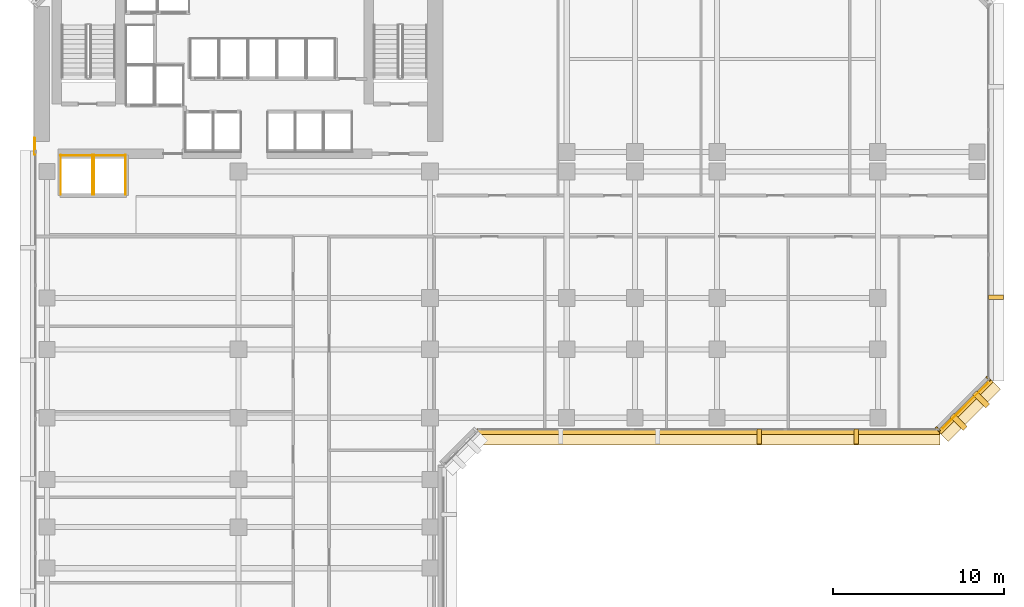
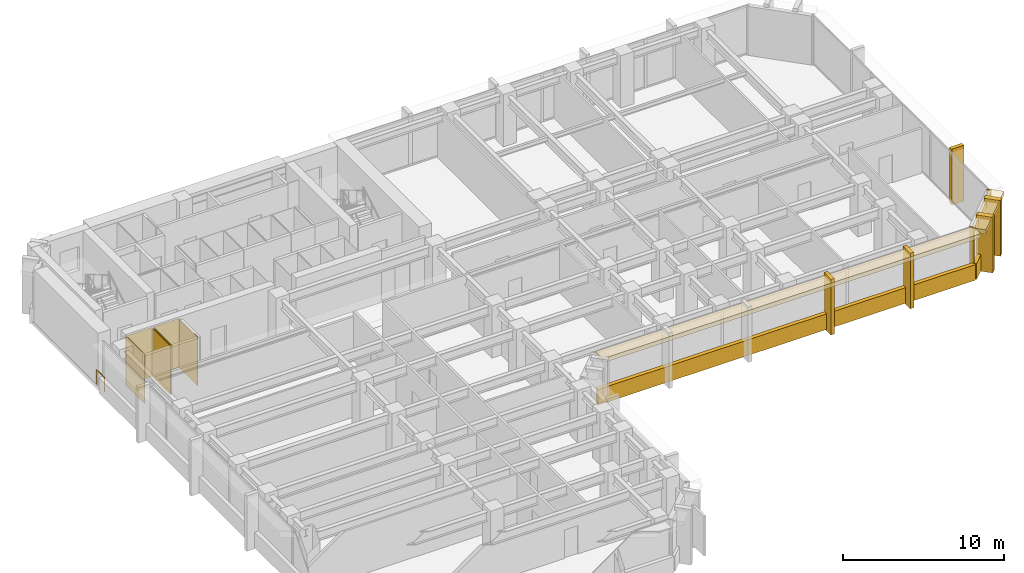
# One storey, part 10 of 13: 18 coverings, 1 railing.
"""IFC4 building model written with IfcOpenShell, lengths in metres."""

from ifc_helpers import new_model, si_unit, direction, frame, origin, origin_2d, place, context, subcontext, project, spatial, polyline, rectangle, circle, outline, extrude, material, layer, layer_set, type_object, element, save


model = new_model("IFC4")

# Units and contexts
model_context = context("Model", 3, precision=1e-05, world=origin(), true_north=direction((0.0, 1.0)))
body_context = subcontext(model_context, "Body", "Model", "MODEL_VIEW")
ifc_project = project(units=[si_unit("LENGTHUNIT", "METRE"), si_unit("AREAUNIT", "SQUARE_METRE"), si_unit("VOLUMEUNIT", "CUBIC_METRE"), si_unit("PLANEANGLEUNIT", "RADIAN"), si_unit("MASSUNIT", "GRAM", prefix="KILO")], contexts=[model_context])

# Site, building, storey
site_placement = place(None, origin())
site = spatial("IfcSite", under=ifc_project, at=site_placement, CompositionType="ELEMENT")
building_placement = place(site_placement, origin())
building = spatial("IfcBuilding", under=site, at=building_placement, Name="Kefirva Bronze Tower", CompositionType="ELEMENT")
storey_placement = place(building_placement, frame((0.0, 0.0, 62.0400390625)))
storey = spatial("IfcBuildingStorey", under=building, at=storey_placement, Name="L14", CompositionType="ELEMENT", Elevation=62.0400390625)

# Coverings
ifc_material_1 = material(Name="Bronze anodised aluminium", Category="aluminium")
ifc_layer_1 = layer(ifc_material_1, 0.02001953125, Name="Bronze anodised aluminium")
ifc_layer_set_1 = layer_set([ifc_layer_1], Name="Bronze anodised aluminium")
covering_type_1 = type_object("IfcCoveringType", Name="Anodised Bronze Spandrel Cladding 20mm", PredefinedType="CLADDING", material=ifc_layer_set_1)
covering_1_placement = place(storey_placement, frame((39.5, 17.9599609375, -0.16015625), z_axis=(0.0, 0.0, 1.0), x_axis=(1.0, 0.0, 0.0)))
element("IfcCovering", 1, at=covering_1_placement, inside=storey, type_object=covering_type_1, Name="L14 Streamline Horizontal Spandrel Band 4", PredefinedType="CLADDING", context=body_context, shape_type="SweptSolid", body=[
    extrude(rectangle(XDim=27.0400390625, YDim=0.280029296875, at=origin_2d()), origin(), (0.0, 0.0, 1.0), 1.179931640625),
])
covering_2_placement = place(storey_placement, frame((54.507080078125, 19.492919921875, 3.2900390625), z_axis=(0.0, 0.0, 1.0), x_axis=(0.707106781187, 0.707106781187, 0.0)))
element("IfcCovering", 2, at=covering_2_placement, inside=storey, type_object=covering_type_1, Name="L14 Bronze Spandrel Cladding 4", PredefinedType="CLADDING", context=body_context, shape_type="SweptSolid", body=[
    extrude(rectangle(XDim=3.719482421875, YDim=0.02001953125, at=origin_2d()), origin(), (0.0, 0.0, 1.0), 0.39990234375),
])
for number, where, z_axis, x_axis, name in (
    (3, (52.91162109375, 18.137939453125, 0.0), (0.0, 0.0, 1.0), (0.707106781187, 0.707106781187, 0.0), "L14 Facade Joint Closure Panel 4S"),
    (4, (55.862060546875, 21.08837890625, 0.0), (0.0, 0.0, 1.0), (0.707106781187, 0.707106781187, 0.0), "L14 Facade Joint Closure Panel 4E"),
):
    element("IfcCovering", number, at=place(storey_placement, frame(where, z_axis=z_axis, x_axis=x_axis)), inside=storey, type_object=covering_type_1, Name=name, PredefinedType="CLADDING", context=body_context, shape_type="SweptSolid", body=[
        extrude(rectangle(XDim=0.10009765625, YDim=0.320068359375, at=origin_2d()), origin(), (0.0, 0.0, 1.0), 3.7099609375),
    ])
covering_3_placement = place(storey_placement, frame((54.5283203125, 19.4716796875, -0.16015625), z_axis=(0.0, 0.0, 1.0), x_axis=(0.707106781187, 0.707106781187, 0.0)))
element("IfcCovering", 5, at=covering_3_placement, inside=storey, type_object=covering_type_1, Name="L14 Streamline Horizontal Spandrel Band 5", PredefinedType="CLADDING", context=body_context, shape_type="SweptSolid", body=[
    extrude(rectangle(XDim=4.28271484375, YDim=0.280029296875, at=origin_2d()), origin(), (0.0, 0.0, 1.0), 1.179931640625),
])
covering_4_placement = place(storey_placement, origin())
element("IfcCovering", 6, at=covering_4_placement, inside=storey, type_object=covering_type_1, Name="L14 Lift OB1 Hoistway Liner N", PredefinedType="CLADDING", context=body_context, shape_type="SweptSolid", body=[
    extrude(outline(polyline([(1.580078125, 34.139892578125), (3.469970703125, 34.139892578125), (3.469970703125, 34.159912109375), (1.580078125, 34.159912109375), (1.580078125, 34.139892578125)])), origin(), (0.0, 0.0, 1.0), 3.7099609375),
])
covering_5_placement = place(storey_placement, origin())
element("IfcCovering", 7, at=covering_5_placement, inside=storey, type_object=covering_type_1, Name="L14 Lift OB1 Hoistway Liner W", PredefinedType="CLADDING", context=body_context, shape_type="SweptSolid", body=[
    extrude(outline(polyline([(1.590087890625, 31.830078125), (1.610107421875, 31.830078125), (1.610107421875, 34.169921875), (1.590087890625, 34.169921875), (1.590087890625, 31.830078125)])), origin(), (0.0, 0.0, 1.0), 3.7099609375),
])
covering_6_placement = place(storey_placement, origin())
element("IfcCovering", 8, at=covering_6_placement, inside=storey, type_object=covering_type_1, Name="L14 Lift OB1 Hoistway Liner E", PredefinedType="CLADDING", context=body_context, shape_type="SweptSolid", body=[
    extrude(outline(polyline([(3.43994140625, 31.830078125), (3.4599609375, 31.830078125), (3.4599609375, 34.169921875), (3.43994140625, 34.169921875), (3.43994140625, 31.830078125)])), origin(), (0.0, 0.0, 1.0), 3.7099609375),
])
covering_7_placement = place(storey_placement, origin())
element("IfcCovering", 9, at=covering_7_placement, inside=storey, type_object=covering_type_1, Name="L14 Lift OB2 Hoistway Liner N", PredefinedType="CLADDING", context=body_context, shape_type="SweptSolid", body=[
    extrude(outline(polyline([(3.530029296875, 34.139892578125), (5.419921875, 34.139892578125), (5.419921875, 34.159912109375), (3.530029296875, 34.159912109375), (3.530029296875, 34.139892578125)])), origin(), (0.0, 0.0, 1.0), 3.7099609375),
])
covering_8_placement = place(storey_placement, origin())
element("IfcCovering", 10, at=covering_8_placement, inside=storey, type_object=covering_type_1, Name="L14 Lift OB2 Hoistway Liner W", PredefinedType="CLADDING", context=body_context, shape_type="SweptSolid", body=[
    extrude(outline(polyline([(3.5400390625, 31.830078125), (3.56005859375, 31.830078125), (3.56005859375, 34.169921875), (3.5400390625, 34.169921875), (3.5400390625, 31.830078125)])), origin(), (0.0, 0.0, 1.0), 3.7099609375),
])
covering_9_placement = place(storey_placement, origin())
element("IfcCovering", 11, at=covering_9_placement, inside=storey, type_object=covering_type_1, Name="L14 Lift OB2 Hoistway Liner E", PredefinedType="CLADDING", context=body_context, shape_type="SweptSolid", body=[
    extrude(outline(polyline([(5.389892578125, 31.830078125), (5.409912109375, 31.830078125), (5.409912109375, 34.169921875), (5.389892578125, 34.169921875), (5.389892578125, 31.830078125)])), origin(), (0.0, 0.0, 1.0), 3.7099609375),
])

# Railing
ifc_material_2 = material(Name="Stainless steel 316", Category="steel")
railing_type = type_object("IfcRailingType", Name="Interior Stair Guardrail 1100mm", PredefinedType="GUARDRAIL", material=ifc_material_2)
railing_placement = place(storey_placement, frame((0.080078125, 34.199951171875, 0.0)))
element("IfcRailing", 12, at=railing_placement, inside=storey, type_object=railing_type, Name="L14 West Core Junction Guardrail", PredefinedType="GUARDRAIL", context=body_context, shape_type="SweptSolid", body=[
    extrude(circle(Radius=0.02392578125, at=origin_2d()), frame((0.0, 0.0, 1.076171875), z_axis=(0.0, 1.0, 0.0), x_axis=(-1.0, 0.0, 0.0)), (0.0, 0.0, 1.0), 0.949951171875),
    extrude(circle(Radius=0.02099609375, at=origin_2d()), origin(), (0.0, 0.0, 1.0), 1.052001953125),
    extrude(circle(Radius=0.02099609375, at=origin_2d()), frame((0.0, 0.949951171875, 0.0)), (0.0, 0.0, 1.0), 1.052001953125),
])

# Coverings
ifc_layer_2 = layer(ifc_material_1, 0.179931640625, Name="Bronze anodised aluminium")
ifc_layer_set_2 = layer_set([ifc_layer_2], Name="Bronze anodised aluminium")
covering_type_2 = type_object("IfcCoveringType", Name="Streamline Bronze Sunshade Eyebrow Cladding 180mm", PredefinedType="CLADDING", material=ifc_layer_set_2)
covering_10_placement = place(storey_placement, frame((39.5, 17.68994140625, 3.39013671875), z_axis=(0.0, 0.0, 1.0), x_axis=(1.0, 0.0, 0.0)))
element("IfcCovering", 13, at=covering_10_placement, inside=storey, type_object=covering_type_2, Name="L14 Streamline Bronze Sunshade Eyebrow 4", PredefinedType="CLADDING", context=body_context, shape_type="SweptSolid", body=[
    extrude(rectangle(XDim=27.080078125, YDim=0.93994140625, at=origin_2d()), origin(), (0.0, 0.0, 1.0), 0.320068359375),
])
covering_11_placement = place(storey_placement, frame((54.71923828125, 19.28076171875, 3.39013671875), z_axis=(0.0, 0.0, 1.0), x_axis=(0.707106781187, 0.707106781187, 0.0)))
element("IfcCovering", 14, at=covering_11_placement, inside=storey, type_object=covering_type_2, Name="L14 Streamline Bronze Sunshade Eyebrow 5", PredefinedType="CLADDING", context=body_context, shape_type="SweptSolid", body=[
    extrude(rectangle(XDim=4.322509765625, YDim=0.93994140625, at=origin_2d()), origin(), (0.0, 0.0, 1.0), 0.320068359375),
])
ifc_layer_3 = layer(ifc_material_1, 0.260009765625, Name="Bronze anodised aluminium")
ifc_layer_set_3 = layer_set([ifc_layer_3], Name="Bronze anodised aluminium")
covering_type_3 = type_object("IfcCoveringType", Name="Unbroken Bronze Buttress Fin Cladding 260mm", PredefinedType="CLADDING", material=ifc_layer_set_3)
for number, where, z_axis, x_axis, name in (
    (15, (42.469970703125, 17.699951171875, -0.25), (0.0, 0.0, 1.0), (1.0, 0.0, 0.0), "L14 Unbroken Vertical Bronze Rib Fin 11"),
    (16, (48.139892578125, 17.699951171875, -0.25), (0.0, 0.0, 1.0), (1.0, 0.0, 0.0), "L14 Unbroken Vertical Bronze Rib Fin 12"),
):
    element("IfcCovering", number, at=place(storey_placement, frame(where, z_axis=z_axis, x_axis=x_axis)), inside=storey, type_object=covering_type_3, Name=name, PredefinedType="CLADDING", context=body_context, shape_type="SweptSolid", body=[
        extrude(rectangle(XDim=0.260009765625, YDim=0.8798828125, at=origin_2d()), origin(), (0.0, 0.0, 1.0), 4.2099609375),
    ])
for number, where, z_axis, x_axis, name in (
    (17, (54.122802734375, 18.55712890625, -0.25), (0.0, 0.0, 1.0), (0.707106781187, 0.707106781187, 0.0), "L14 Chamfered Corner Buttress Fin Cladding 13"),
    (18, (55.44287109375, 19.877197265625, -0.25), (0.0, 0.0, 1.0), (0.707106781187, 0.707106781187, 0.0), "L14 Chamfered Corner Buttress Fin Cladding 14"),
):
    element("IfcCovering", number, at=place(storey_placement, frame(where, z_axis=z_axis, x_axis=x_axis)), inside=storey, type_object=covering_type_3, Name=name, PredefinedType="CLADDING", context=body_context, shape_type="SweptSolid", body=[
        extrude(rectangle(XDim=0.340087890625, YDim=1.080078125, at=origin_2d()), origin(), (0.0, 0.0, 1.0), 4.2099609375),
    ])
covering_12_placement = place(storey_placement, frame((56.300048828125, 25.840087890625, -0.25), z_axis=(0.0, 0.0, 1.0), x_axis=(0.0, 1.0, 0.0)))
element("IfcCovering", 19, at=covering_12_placement, inside=storey, type_object=covering_type_3, Name="L14 Unbroken Vertical Bronze Rib Fin 15", PredefinedType="CLADDING", context=body_context, shape_type="SweptSolid", body=[
    extrude(rectangle(XDim=0.260009765625, YDim=0.8798828125, at=origin_2d()), origin(), (0.0, 0.0, 1.0), 4.2099609375),
])

save(model, "model.ifc")
